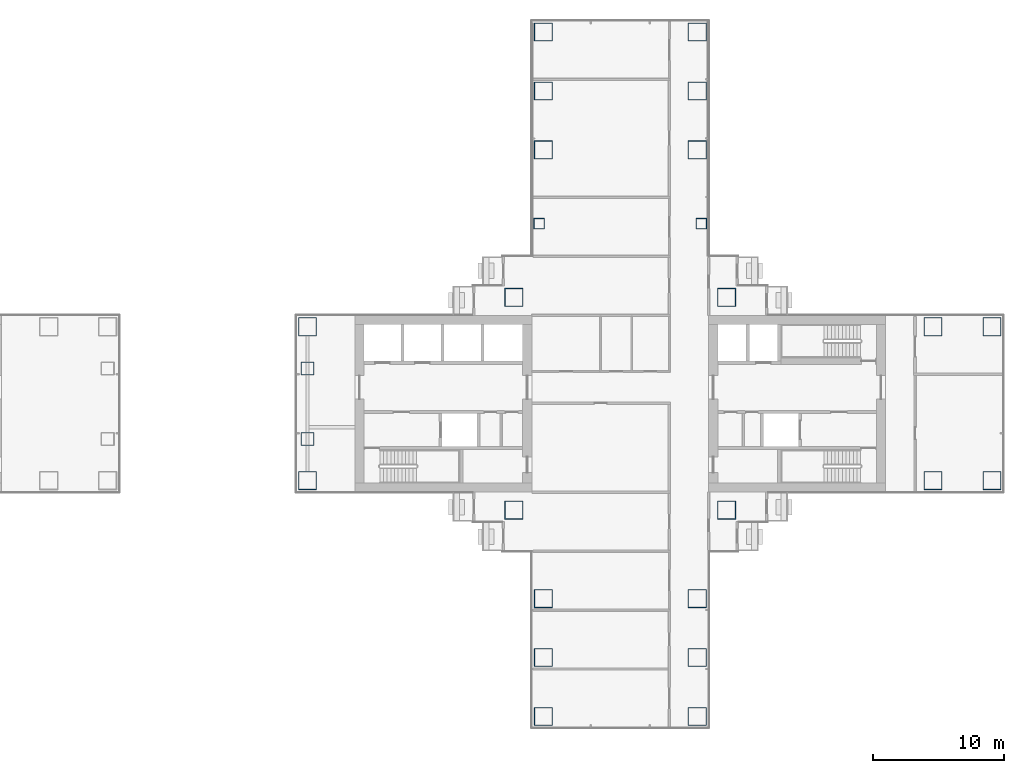
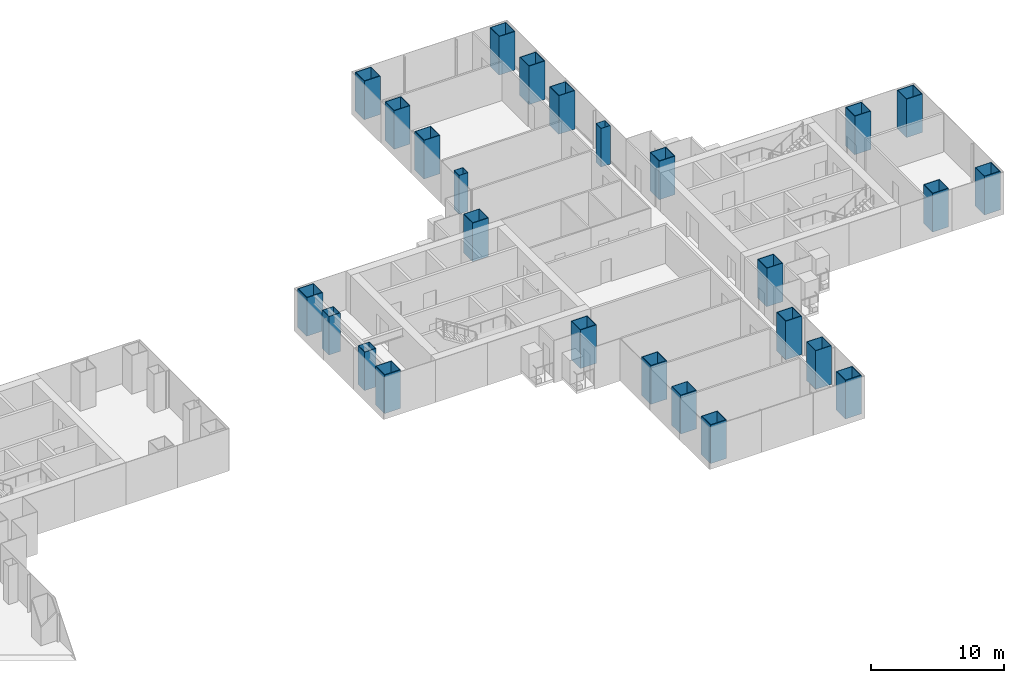
# One storey, part 2 of 21: 26 columns.
"""IFC4 building model written with IfcOpenShell, lengths in metres."""

import ifcopenshell
import ifcopenshell.guid

model = None  # the IFC model being written
_history = None  # IfcOwnerHistory: only IFC2X3 demands one
_inside = {}  # id of a spatial element -> (the spatial element, [elements in it])
_under = {}  # id of a project, library or spatial element -> (it, [spatial elements below it])
_declared = {}  # id of a project -> (the project, [libraries it declares])
_typed = {}  # id of a type object -> (the type object, [elements of that type])
_made_of = {}  # id of a material, layer set ... -> (it, [elements and type objects made of it])


def new_model(schema):
    """Start an empty IFC model of exactly this schema.

    Asked for "IFC4X3", IfcOpenShell would pick the latest addendum, in which some entities
    have other attributes; the version numbers below select the first issue.
    IFC2X3 requires an IfcOwnerHistory on every rooted entity: one is made here for all.
    """
    global model, _history
    if schema == "IFC4X3":
        model = ifcopenshell.file(schema_version=(4, 3, 0, 0))
    else:
        model = ifcopenshell.file(schema=schema)
    _inside.clear()
    _under.clear()
    _declared.clear()
    _typed.clear()
    _made_of.clear()
    _history = None
    if model.schema == "IFC2X3":
        org = make("IfcOrganization", Name="unknown")
        user = make(
            "IfcPersonAndOrganization",
            ThePerson=make("IfcPerson", FamilyName="unknown"),
            TheOrganization=org,
        )
        app = make(
            "IfcApplication",
            ApplicationDeveloper=org,
            Version="unknown",
            ApplicationFullName="unknown",
            ApplicationIdentifier="unknown",
        )
        _history = make(
            "IfcOwnerHistory",
            OwningUser=user,
            OwningApplication=app,
            ChangeAction="ADDED",
            CreationDate=0,
        )
    return model


def make(cls, **values):
    """One entity of the class cls with the attributes given. An attribute that is None is left unset."""
    return model.create_entity(
        cls, **{name: value for name, value in values.items() if value is not None}
    )


def rooted(cls, **values):
    """An entity with a GlobalId (a new one), such as an element, a storey or a relation."""
    return make(cls, GlobalId=ifcopenshell.guid.new(), OwnerHistory=_history, **values)


def si_unit(unit_type, name, prefix=None):
    """IfcSIUnit, for example si_unit("LENGTHUNIT", "METRE", prefix="MILLI")."""
    return make("IfcSIUnit", UnitType=unit_type, Prefix=prefix, Name=name)


def assignment(units):
    """IfcUnitAssignment: the units of a project."""
    return None if units is None else make("IfcUnitAssignment", Units=units)


def point(xyz):
    """IfcCartesianPoint."""
    return None if xyz is None else make("IfcCartesianPoint", Coordinates=xyz)


def direction(xyz):
    """IfcDirection."""
    return None if xyz is None else make("IfcDirection", DirectionRatios=xyz)


def frame(location, z_axis=None, x_axis=None):
    """IfcAxis2Placement3D, a coordinate frame: its origin and axes. An axis left out is left unset."""
    return make(
        "IfcAxis2Placement3D",
        Location=point(location),
        Axis=direction(z_axis),
        RefDirection=direction(x_axis),
    )


def frame_2d(location, x_axis=None):
    """IfcAxis2Placement2D, a coordinate frame in the plane: its origin and x axis."""
    return make(
        "IfcAxis2Placement2D", Location=point(location), RefDirection=direction(x_axis)
    )


def origin():
    """The frame at (0, 0, 0) with its axes left unset."""
    return frame((0.0, 0.0, 0.0))


def origin_2d():
    """The frame at (0, 0) in the plane with its x axis left unset."""
    return frame_2d((0.0, 0.0))


def place(relative_to, where):
    """IfcLocalPlacement: puts the frame where relative to a parent placement (None: the world)."""
    return make(
        "IfcLocalPlacement", PlacementRelTo=relative_to, RelativePlacement=where
    )


def context(
    kind, dimensions, precision=None, world=None, true_north=None, identifier=None
):
    """IfcGeometricRepresentationContext, for example the 3D "Model" context."""
    return make(
        "IfcGeometricRepresentationContext",
        ContextIdentifier=identifier,
        ContextType=kind,
        CoordinateSpaceDimension=dimensions,
        Precision=precision,
        WorldCoordinateSystem=world,
        TrueNorth=true_north,
    )


def subcontext(parent, identifier, kind, view, scale=None):
    """IfcGeometricRepresentationSubContext, for example "Body" below "Model"."""
    return make(
        "IfcGeometricRepresentationSubContext",
        ContextIdentifier=identifier,
        ContextType=kind,
        ParentContext=parent,
        TargetScale=scale,
        TargetView=view,
    )


def project(units=None, contexts=None):
    """IfcProject with its units and contexts."""
    return rooted(
        "IfcProject",
        Name="project",
        RepresentationContexts=contexts,
        UnitsInContext=assignment(units),
    )


def spatial(cls, under=None, at=None, **own):
    """A site, building, storey or space (cls), placed at a placement, below another one or the project."""
    s = rooted(cls, ObjectPlacement=at, **own)
    if under is not None:
        _under.setdefault(under.id(), (under, []))[1].append(s)
    return s


def profile(cls, at=None, kind="AREA", **sizes):
    """A parametric profile (cls). Its sizes go by their IFC names, for example OverallWidth=200.0."""
    return make(cls, ProfileType=kind, Position=at, **sizes)


def hollow_rectangle(**sizes):
    """IfcRectangleHollowProfileDef."""
    return profile("IfcRectangleHollowProfileDef", **sizes)


def extrude(swept, where, along, depth):
    """IfcExtrudedAreaSolid: the profile swept, set in the frame where, extruded along a direction by depth."""
    return make(
        "IfcExtrudedAreaSolid",
        SweptArea=swept,
        Position=where,
        ExtrudedDirection=direction(along),
        Depth=depth,
    )


def shape(context_of_items, identifier, shape_type, items):
    """IfcShapeRepresentation: the items that make up one representation, for example the "Body"."""
    return make(
        "IfcShapeRepresentation",
        ContextOfItems=context_of_items,
        RepresentationIdentifier=identifier,
        RepresentationType=shape_type,
        Items=items,
    )


def material(Name=None, Category=None):
    """IfcMaterial."""
    return make("IfcMaterial", Name=Name, Category=Category)


def material_profile(
    of_material, cross_section, Name=None, Category=None, Priority=None
):
    """IfcMaterialProfile: a cross section and its material."""
    return make(
        "IfcMaterialProfile",
        Name=Name,
        Material=of_material,
        Profile=cross_section,
        Priority=Priority,
        Category=Category,
    )


def profile_set(profiles, Name=None, composite=None):
    """IfcMaterialProfileSet."""
    return make(
        "IfcMaterialProfileSet",
        Name=Name,
        MaterialProfiles=profiles,
        CompositeProfile=composite,
    )


def made_of(thing, what):
    """Note that an element or type object is made of a material, layer set ...; save() writes the relation."""
    if what is not None:
        _made_of.setdefault(what.id(), (what, []))[1].append(thing)
    return thing


def type_object(cls, material=None, **own):
    """A type object (cls), such as IfcWallType, which elements share."""
    return made_of(rooted(cls, **own), material)


def element(
    cls,
    number,
    at=None,
    inside=None,
    cuts=None,
    type_object=None,
    material=None,
    context=None,
    identifier="Body",
    shape_type=None,
    held_by="IfcProductDefinitionShape",
    body=None,
    shapes=None,
    **own,
):
    """One element of the class cls, such as IfcWall. Its Tag is "e" and its number.

    at: its placement. inside: the storey or other place that contains it. cuts: it is an
    opening in that element (IfcRelVoidsElement). A single representation is given by context,
    identifier, shape_type and body (its items); several are given by shapes. held_by: the class
    of the entity that holds the representations. save() writes the other relations.
    """
    e = rooted(cls, Tag="e%d" % number, ObjectPlacement=at, **own)
    if body is not None:
        shapes = [shape(context, identifier, shape_type, body)]
    if shapes is not None:
        e.Representation = make(held_by, Representations=shapes)
    if inside is not None:
        _inside.setdefault(inside.id(), (inside, []))[1].append(e)
    if cuts is not None:
        rooted(
            "IfcRelVoidsElement", RelatingBuildingElement=cuts, RelatedOpeningElement=e
        )
    if type_object is not None:
        _typed.setdefault(type_object.id(), (type_object, []))[1].append(e)
    return made_of(e, material)


def aggregate(whole, parts):
    """IfcRelAggregates: a whole, such as a stair, and the parts it consists of."""
    return rooted("IfcRelAggregates", RelatingObject=whole, RelatedObjects=parts)


def save(model, path):
    """Write the relations noted so far, then the file.

    IfcRelAggregates (storeys below a building ...), IfcRelContainedInSpatialStructure (elements
    in a storey), IfcRelDefinesByType, IfcRelAssociatesMaterial and IfcRelDeclares: one each for
    every whole, place, type object, material and project.
    """
    for whole, parts in _under.values():
        aggregate(whole, parts)
    for where, things in _inside.values():
        rooted(
            "IfcRelContainedInSpatialStructure",
            RelatedElements=things,
            RelatingStructure=where,
        )
    for kind, things in _typed.values():
        rooted("IfcRelDefinesByType", RelatedObjects=things, RelatingType=kind)
    for what, things in _made_of.values():
        rooted("IfcRelAssociatesMaterial", RelatedObjects=things, RelatingMaterial=what)
    for by, libraries in _declared.values():
        rooted("IfcRelDeclares", RelatingContext=by, RelatedDefinitions=libraries)
    model.write(path)


model = new_model("IFC4")

# Units and contexts
model_context = context("Model", 3, precision=1e-05, world=origin(), true_north=direction((0.0, 1.0)))
body_context = subcontext(model_context, "Body", "Model", "MODEL_VIEW")
ifc_project = project(units=[si_unit("LENGTHUNIT", "METRE"), si_unit("AREAUNIT", "SQUARE_METRE"), si_unit("VOLUMEUNIT", "CUBIC_METRE"), si_unit("PLANEANGLEUNIT", "RADIAN"), si_unit("MASSUNIT", "GRAM", prefix="KILO")], contexts=[model_context])

# Site, building, storey
site_placement = place(None, origin())
site = spatial("IfcSite", under=ifc_project, at=site_placement, CompositionType="ELEMENT")
building_placement = place(site_placement, origin())
building = spatial("IfcBuilding", under=site, at=building_placement, Name="Shamsa Quay Exchange Towers", CompositionType="ELEMENT")
storey_placement = place(building_placement, frame((0.0, 0.0, 49.800048828125)))
storey = spatial("IfcBuildingStorey", under=building, at=storey_placement, Name="L10", CompositionType="ELEMENT", Elevation=49.800048828125)

# Columns
ifc_material_1 = material(Name="Concrete-filled steel tube S355 / C80/95", Category="concrete")
ifc_material_profile_1 = material_profile(ifc_material_1, hollow_rectangle(XDim=1.39990234375, YDim=1.39990234375, WallThickness=0.050048828125, at=origin_2d()), Name="CFT 1400x1400x50")
ifc_profile_set_1 = profile_set([ifc_material_profile_1], Name="Concrete-filled steel tube S355 / C80/95")
column_type_1 = type_object("IfcColumnType", Name="Column CFT 1400x1400x50", PredefinedType="COLUMN", material=ifc_profile_set_1)
for number, where, name in (
    (1, (25.625, 8.125, 0.0), "Mega column T2-CM01"),
    (2, (41.875, 8.125, 0.0), "Mega column T2-CM02"),
    (3, (25.625, -8.125, 0.0), "Mega column T2-CM03"),
    (4, (41.875, -8.125, 0.0), "Mega column T2-CM04"),
    (5, (39.625, 19.375, 0.0), "Mega column T2-CM06"),
    (6, (39.625, 23.875, 0.0), "Mega column T2-CM07"),
    (7, (39.625, 28.375, 0.0), "Mega column T2-CM08"),
    (8, (27.875, 19.375, 0.0), "Mega column T2-CM10"),
    (9, (27.875, 23.875, 0.0), "Mega column T2-CM11"),
    (10, (27.875, 28.375, 0.0), "Mega column T2-CM12"),
    (11, (39.625, -14.875, 0.0), "Mega column T2-CM13"),
    (12, (39.625, -19.375, 0.0), "Mega column T2-CM14"),
    (13, (39.625, -23.875, 0.0), "Mega column T2-CM15"),
    (14, (27.875, -14.875, 0.0), "Mega column T2-CM16"),
    (15, (27.875, -19.375, 0.0), "Mega column T2-CM17"),
    (16, (27.875, -23.875, 0.0), "Mega column T2-CM18"),
    (17, (9.875, -5.875, 0.0), "Mega column T2-CM19"),
    (18, (9.875, 5.875, 0.0), "Mega column T2-CM20"),
    (19, (57.625, -5.875, 0.0), "Mega column T2-CM21"),
    (20, (62.125, -5.875, 0.0), "Mega column T2-CM22"),
    (21, (57.625, 5.875, 0.0), "Mega column T2-CM23"),
    (22, (62.125, 5.875, 0.0), "Mega column T2-CM24"),
):
    element("IfcColumn", number, at=place(storey_placement, frame(where)), inside=storey, type_object=column_type_1, Name=name, PredefinedType="COLUMN", context=body_context, shape_type="SweptSolid", body=[
        extrude(hollow_rectangle(XDim=1.39990234375, YDim=1.39990234375, WallThickness=0.050048828125, at=origin_2d()), origin(), (0.0, 0.0, 1.0), 3.550048828125),
    ])
ifc_material_2 = material(Name="Concrete-filled steel tube S355 / C60/75", Category="concrete")
ifc_material_profile_2 = material_profile(ifc_material_2, hollow_rectangle(XDim=0.800048828125, YDim=0.800048828125, WallThickness=0.02490234375, at=origin_2d()), Name="CFT 800x800x25")
ifc_profile_set_2 = profile_set([ifc_material_profile_2], Name="Concrete-filled steel tube S355 / C60/75")
column_type_2 = type_object("IfcColumnType", Name="Column CFT 800x800x25", PredefinedType="COLUMN", material=ifc_profile_set_2)
for number, where, name in (
    (23, (39.9375, 13.75, 0.0), "Perimeter column T2-CP05"),
    (24, (27.5625, 13.75, 0.0), "Perimeter column T2-CP09"),
):
    element("IfcColumn", number, at=place(storey_placement, frame(where)), inside=storey, type_object=column_type_2, Name=name, PredefinedType="COLUMN", context=body_context, shape_type="SweptSolid", body=[
        extrude(hollow_rectangle(XDim=0.800048828125, YDim=0.800048828125, WallThickness=0.02490234375, at=origin_2d()), origin(), (0.0, 0.0, 1.0), 3.550048828125),
    ])
ifc_material_3 = material(Name="Concrete-filled steel tube S355 / C70/85", Category="concrete")
ifc_material_profile_3 = material_profile(ifc_material_3, hollow_rectangle(XDim=1.0, YDim=1.0, WallThickness=0.0400390625, at=origin_2d()), Name="CFT 1000x1000x40")
ifc_profile_set_3 = profile_set([ifc_material_profile_3], Name="Concrete-filled steel tube S355 / C70/85")
column_type_3 = type_object("IfcColumnType", Name="Landing column CFT 1000x1000x40", PredefinedType="COLUMN", material=ifc_profile_set_3)
for number, where, name in (
    (25, (9.875, -2.699951171875, 0.0), "Landing column T2 S"),
    (26, (9.875, 2.699951171875, 0.0), "Landing column T2 N"),
):
    element("IfcColumn", number, at=place(storey_placement, frame(where)), inside=storey, type_object=column_type_3, Name=name, PredefinedType="COLUMN", context=body_context, shape_type="SweptSolid", body=[
        extrude(hollow_rectangle(XDim=1.0, YDim=1.0, WallThickness=0.0400390625, at=origin_2d()), origin(), (0.0, 0.0, 1.0), 3.550048828125),
    ])

save(model, "model.ifc")
